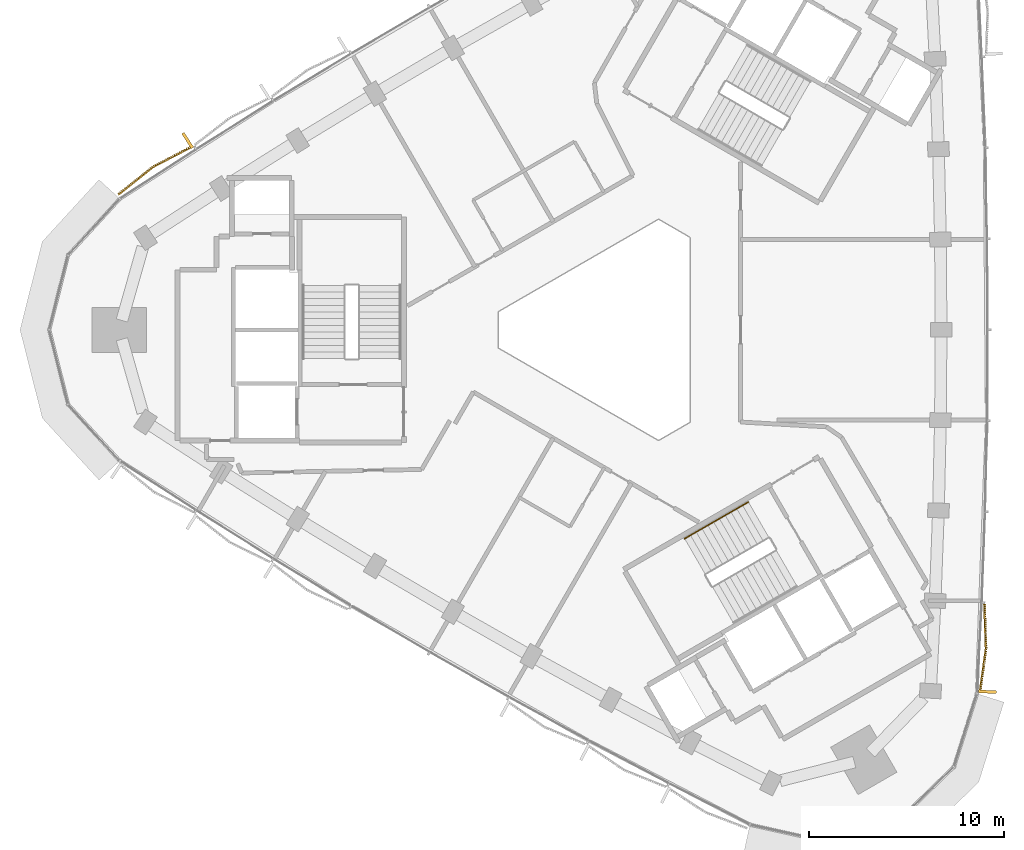
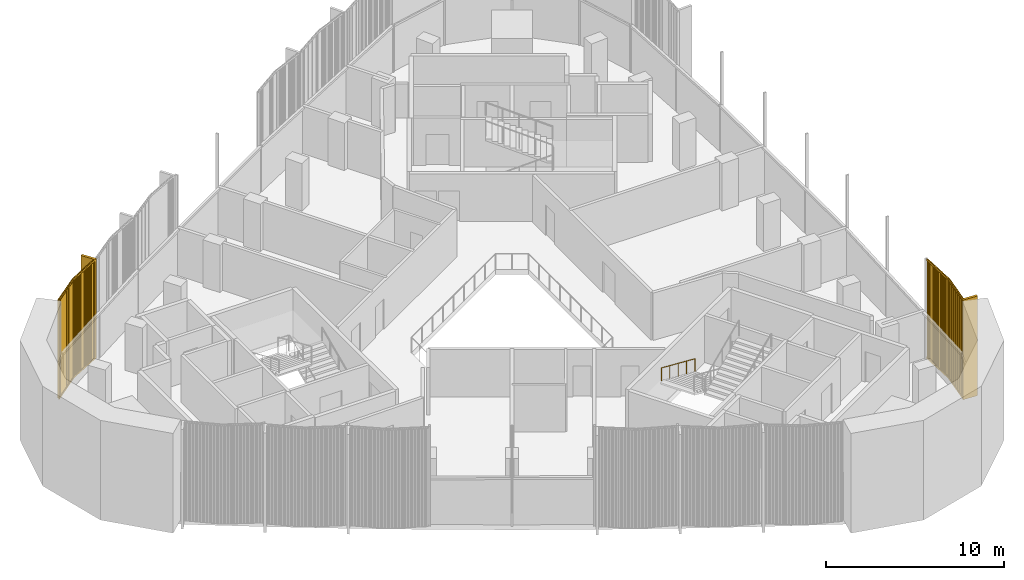
# One storey, part 14 of 16: 2 coverings, 1 railing.
"""IFC4 building model written with IfcOpenShell, lengths in metres."""

from ifc_helpers import new_model, si_unit, direction, frame, frame_2d, origin, origin_2d, place, context, subcontext, project, spatial, rectangle, circle, extrude, source, transform, mapped, material, type_object, element, save


model = new_model("IFC4")

# Units and contexts
model_context = context("Model", 3, precision=1e-05, world=origin(), true_north=direction((0.0, 1.0)))
body_context = subcontext(model_context, "Body", "Model", "MODEL_VIEW")
ifc_project = project(units=[si_unit("LENGTHUNIT", "METRE"), si_unit("AREAUNIT", "SQUARE_METRE"), si_unit("VOLUMEUNIT", "CUBIC_METRE"), si_unit("PLANEANGLEUNIT", "RADIAN"), si_unit("MASSUNIT", "GRAM", prefix="KILO")], contexts=[model_context])

# Site, building, storey
site_placement = place(None, origin())
site = spatial("IfcSite", under=ifc_project, at=site_placement, CompositionType="ELEMENT")
building_placement = place(site_placement, origin())
building = spatial("IfcBuilding", under=site, at=building_placement, Name="Tamra Quay Hotel Tower", CompositionType="ELEMENT")
storey_placement = place(building_placement, frame((0.0, 0.0, 243.0)))
storey = spatial("IfcBuildingStorey", under=building, at=storey_placement, Name="L61", CompositionType="ELEMENT", Elevation=243.0)

# Railing
ifc_material_1 = material(Name="Stair handrail 900")
railing_type = type_object("IfcRailingType", Name="Stair handrail 900", PredefinedType="HANDRAIL", material=ifc_material_1)
railing_placement = place(storey_placement, frame((6.7978515625, -8.814208984375, 0.14990234375)))
element("IfcRailing", 1, at=railing_placement, inside=storey, type_object=railing_type, Name="HR", PredefinedType="HANDRAIL", context=body_context, shape_type="SweptSolid", body=[
    extrude(circle(Radius=0.02392578125, at=origin_2d()), frame((0.0, 0.0, 0.8759765625), z_axis=(-0.793081112945, -0.457875966286, 0.40171127416), x_axis=(0.499992114976, -0.866029956157, 0.0)), (0.0, 0.0, 1.0), 4.10791015625),
    extrude(circle(Radius=0.02099609375, at=origin_2d()), origin(), (0.0, 0.0, 1.0), 0.851806640625),
    extrude(circle(Radius=0.02099609375, at=origin_2d()), frame((-0.814453125, -0.47021484375, 0.41259765625)), (0.0, 0.0, 1.0), 0.851806640625),
    extrude(circle(Radius=0.02099609375, at=origin_2d()), frame((-1.62890625, -0.9404296875, 0.8251953125)), (0.0, 0.0, 1.0), 0.851806640625),
    extrude(circle(Radius=0.02099609375, at=origin_2d()), frame((-2.443359375, -1.41064453125, 1.237548828125)), (0.0, 0.0, 1.0), 0.851806640625),
    extrude(circle(Radius=0.02099609375, at=origin_2d()), frame((-3.2578125, -1.880859375, 1.650146484375)), (0.0, 0.0, 1.0), 0.851806640625),
])

# Coverings
ifc_material_2 = material(Name="Terracotta baguette extruded", Category="masonry")
covering_type_1 = type_object("IfcCoveringType", Name="BAGUETTE SCREEN E-V H6850", PredefinedType="USERDEFINED", material=ifc_material_2)
shared_shape_1 = source(origin(), body_context, "Body", "SweptSolid", [
    extrude(rectangle(XDim=2.291259765625, YDim=0.06005859375, at=frame_2d((1.1455078125, 0.030029296875))), frame((-2.287841796875, -0.057861328125, -0.1201171875), z_axis=(0.0, 0.0, 1.0), x_axis=(0.996194698092, -0.087155742748, 0.0)), (0.0, 0.0, 1.0), 0.1201171875),
    extrude(rectangle(XDim=2.291259765625, YDim=0.06005859375, at=frame_2d((1.1455078125, 0.030029296875))), frame((-2.287841796875, -0.057861328125, -6.85009765625), z_axis=(0.0, 0.0, 1.0), x_axis=(0.996194698092, -0.087155742748, 0.0)), (0.0, 0.0, 1.0), 0.1201171875),
    extrude(rectangle(XDim=0.070068359375, YDim=0.10009765625, at=frame_2d((0.03515625, 0.050048828125))), frame((-2.267822265625, -0.13232421875, -6.7900390625)), (0.0, 0.0, 1.0), 6.72998046875),
    extrude(rectangle(XDim=0.070068359375, YDim=0.10009765625, at=frame_2d((0.03515625, 0.050048828125))), frame((-2.168701171875, -0.14111328125, -6.7900390625)), (0.0, 0.0, 1.0), 6.72998046875),
    extrude(rectangle(XDim=0.070068359375, YDim=0.10009765625, at=frame_2d((0.03515625, 0.050048828125))), frame((-2.0693359375, -0.149658203125, -6.7900390625)), (0.0, 0.0, 1.0), 6.72998046875),
    extrude(rectangle(XDim=0.070068359375, YDim=0.10009765625, at=frame_2d((0.03515625, 0.050048828125))), frame((-1.97021484375, -0.158447265625, -6.7900390625)), (0.0, 0.0, 1.0), 6.72998046875),
    extrude(rectangle(XDim=0.070068359375, YDim=0.10009765625, at=frame_2d((0.03515625, 0.050048828125))), frame((-1.870849609375, -0.1669921875, -6.7900390625)), (0.0, 0.0, 1.0), 6.72998046875),
    extrude(rectangle(XDim=0.070068359375, YDim=0.10009765625, at=frame_2d((0.03515625, 0.050048828125))), frame((-1.771728515625, -0.17578125, -6.7900390625)), (0.0, 0.0, 1.0), 6.72998046875),
    extrude(rectangle(XDim=0.070068359375, YDim=0.10009765625, at=frame_2d((0.03515625, 0.050048828125))), frame((-1.67236328125, -0.184326171875, -6.7900390625)), (0.0, 0.0, 1.0), 6.72998046875),
    extrude(rectangle(XDim=0.070068359375, YDim=0.10009765625, at=frame_2d((0.03515625, 0.050048828125))), frame((-1.5732421875, -0.193115234375, -6.7900390625)), (0.0, 0.0, 1.0), 6.72998046875),
    extrude(rectangle(XDim=0.070068359375, YDim=0.10009765625, at=frame_2d((0.03515625, 0.050048828125))), frame((-1.473876953125, -0.201904296875, -6.7900390625)), (0.0, 0.0, 1.0), 6.72998046875),
    extrude(rectangle(XDim=0.070068359375, YDim=0.10009765625, at=frame_2d((0.03515625, 0.050048828125))), frame((-1.374755859375, -0.21044921875, -6.7900390625)), (0.0, 0.0, 1.0), 6.72998046875),
    extrude(rectangle(XDim=0.070068359375, YDim=0.10009765625, at=frame_2d((0.03515625, 0.050048828125))), frame((-1.275390625, -0.21923828125, -6.7900390625)), (0.0, 0.0, 1.0), 6.72998046875),
    extrude(rectangle(XDim=0.070068359375, YDim=0.10009765625, at=frame_2d((0.03515625, 0.050048828125))), frame((-1.17626953125, -0.227783203125, -6.7900390625)), (0.0, 0.0, 1.0), 6.72998046875),
    extrude(rectangle(XDim=0.070068359375, YDim=0.10009765625, at=frame_2d((0.03515625, 0.050048828125))), frame((-1.076904296875, -0.236572265625, -6.7900390625)), (0.0, 0.0, 1.0), 6.72998046875),
    extrude(rectangle(XDim=0.070068359375, YDim=0.10009765625, at=frame_2d((0.03515625, 0.050048828125))), frame((-0.977783203125, -0.2451171875, -6.7900390625)), (0.0, 0.0, 1.0), 6.72998046875),
    extrude(rectangle(XDim=0.070068359375, YDim=0.10009765625, at=frame_2d((0.03515625, 0.050048828125))), frame((-0.87841796875, -0.25390625, -6.7900390625)), (0.0, 0.0, 1.0), 6.72998046875),
    extrude(rectangle(XDim=0.070068359375, YDim=0.10009765625, at=frame_2d((0.03515625, 0.050048828125))), frame((-0.779296875, -0.2626953125, -6.7900390625)), (0.0, 0.0, 1.0), 6.72998046875),
    extrude(rectangle(XDim=0.070068359375, YDim=0.10009765625, at=frame_2d((0.03515625, 0.050048828125))), frame((-0.679931640625, -0.271240234375, -6.7900390625)), (0.0, 0.0, 1.0), 6.72998046875),
    extrude(rectangle(XDim=0.070068359375, YDim=0.10009765625, at=frame_2d((0.03515625, 0.050048828125))), frame((-0.580810546875, -0.280029296875, -6.7900390625)), (0.0, 0.0, 1.0), 6.72998046875),
    extrude(rectangle(XDim=0.070068359375, YDim=0.10009765625, at=frame_2d((0.03515625, 0.050048828125))), frame((-0.481689453125, -0.28857421875, -6.7900390625)), (0.0, 0.0, 1.0), 6.72998046875),
    extrude(rectangle(XDim=0.070068359375, YDim=0.10009765625, at=frame_2d((0.03515625, 0.050048828125))), frame((-0.38232421875, -0.29736328125, -6.7900390625)), (0.0, 0.0, 1.0), 6.72998046875),
    extrude(rectangle(XDim=0.070068359375, YDim=0.10009765625, at=frame_2d((0.03515625, 0.050048828125))), frame((-0.283203125, -0.305908203125, -6.7900390625)), (0.0, 0.0, 1.0), 6.72998046875),
    extrude(rectangle(XDim=0.070068359375, YDim=0.10009765625, at=frame_2d((0.03515625, 0.050048828125))), frame((-0.183837890625, -0.314697265625, -6.7900390625)), (0.0, 0.0, 1.0), 6.72998046875),
    extrude(rectangle(XDim=0.070068359375, YDim=0.10009765625, at=frame_2d((0.03515625, 0.050048828125))), frame((-0.084716796875, -0.3232421875, -6.7900390625)), (0.0, 0.0, 1.0), 6.72998046875),
    extrude(rectangle(XDim=2.291259765625, YDim=0.06005859375, at=frame_2d((1.1455078125, 0.030029296875))), frame((0.005126953125, -0.257568359375, -0.1201171875), z_axis=(0.0, 0.0, 1.0), x_axis=(0.996194698092, 0.087155742748, 0.0)), (0.0, 0.0, 1.0), 0.1201171875),
    extrude(rectangle(XDim=2.291259765625, YDim=0.06005859375, at=frame_2d((1.1455078125, 0.030029296875))), frame((0.005126953125, -0.257568359375, -6.85009765625), z_axis=(0.0, 0.0, 1.0), x_axis=(0.996194698092, 0.087155742748, 0.0)), (0.0, 0.0, 1.0), 0.1201171875),
    extrude(rectangle(XDim=0.070068359375, YDim=0.10009765625, at=frame_2d((0.03515625, 0.050048828125))), frame((0.0146484375, -0.3232421875, -6.7900390625)), (0.0, 0.0, 1.0), 6.72998046875),
    extrude(rectangle(XDim=0.070068359375, YDim=0.10009765625, at=frame_2d((0.03515625, 0.050048828125))), frame((0.11376953125, -0.314697265625, -6.7900390625)), (0.0, 0.0, 1.0), 6.72998046875),
    extrude(rectangle(XDim=0.070068359375, YDim=0.10009765625, at=frame_2d((0.03515625, 0.050048828125))), frame((0.213134765625, -0.305908203125, -6.7900390625)), (0.0, 0.0, 1.0), 6.72998046875),
    extrude(rectangle(XDim=0.070068359375, YDim=0.10009765625, at=frame_2d((0.03515625, 0.050048828125))), frame((0.312255859375, -0.29736328125, -6.7900390625)), (0.0, 0.0, 1.0), 6.72998046875),
    extrude(rectangle(XDim=0.070068359375, YDim=0.10009765625, at=frame_2d((0.03515625, 0.050048828125))), frame((0.41162109375, -0.28857421875, -6.7900390625)), (0.0, 0.0, 1.0), 6.72998046875),
    extrude(rectangle(XDim=0.070068359375, YDim=0.10009765625, at=frame_2d((0.03515625, 0.050048828125))), frame((0.5107421875, -0.280029296875, -6.7900390625)), (0.0, 0.0, 1.0), 6.72998046875),
    extrude(rectangle(XDim=0.070068359375, YDim=0.10009765625, at=frame_2d((0.03515625, 0.050048828125))), frame((0.610107421875, -0.271240234375, -6.7900390625)), (0.0, 0.0, 1.0), 6.72998046875),
    extrude(rectangle(XDim=0.070068359375, YDim=0.10009765625, at=frame_2d((0.03515625, 0.050048828125))), frame((0.709228515625, -0.2626953125, -6.7900390625)), (0.0, 0.0, 1.0), 6.72998046875),
    extrude(rectangle(XDim=0.070068359375, YDim=0.10009765625, at=frame_2d((0.03515625, 0.050048828125))), frame((0.80859375, -0.25390625, -6.7900390625)), (0.0, 0.0, 1.0), 6.72998046875),
    extrude(rectangle(XDim=0.070068359375, YDim=0.10009765625, at=frame_2d((0.03515625, 0.050048828125))), frame((0.90771484375, -0.2451171875, -6.7900390625)), (0.0, 0.0, 1.0), 6.72998046875),
    extrude(rectangle(XDim=0.070068359375, YDim=0.10009765625, at=frame_2d((0.03515625, 0.050048828125))), frame((1.007080078125, -0.236572265625, -6.7900390625)), (0.0, 0.0, 1.0), 6.72998046875),
    extrude(rectangle(XDim=0.070068359375, YDim=0.10009765625, at=frame_2d((0.03515625, 0.050048828125))), frame((1.106201171875, -0.227783203125, -6.7900390625)), (0.0, 0.0, 1.0), 6.72998046875),
    extrude(rectangle(XDim=0.070068359375, YDim=0.10009765625, at=frame_2d((0.03515625, 0.050048828125))), frame((1.20556640625, -0.21923828125, -6.7900390625)), (0.0, 0.0, 1.0), 6.72998046875),
    extrude(rectangle(XDim=0.070068359375, YDim=0.10009765625, at=frame_2d((0.03515625, 0.050048828125))), frame((1.3046875, -0.21044921875, -6.7900390625)), (0.0, 0.0, 1.0), 6.72998046875),
    extrude(rectangle(XDim=0.070068359375, YDim=0.10009765625, at=frame_2d((0.03515625, 0.050048828125))), frame((1.404052734375, -0.201904296875, -6.7900390625)), (0.0, 0.0, 1.0), 6.72998046875),
    extrude(rectangle(XDim=0.070068359375, YDim=0.10009765625, at=frame_2d((0.03515625, 0.050048828125))), frame((1.503173828125, -0.193115234375, -6.7900390625)), (0.0, 0.0, 1.0), 6.72998046875),
    extrude(rectangle(XDim=0.070068359375, YDim=0.10009765625, at=frame_2d((0.03515625, 0.050048828125))), frame((1.6025390625, -0.184326171875, -6.7900390625)), (0.0, 0.0, 1.0), 6.72998046875),
    extrude(rectangle(XDim=0.070068359375, YDim=0.10009765625, at=frame_2d((0.03515625, 0.050048828125))), frame((1.70166015625, -0.17578125, -6.7900390625)), (0.0, 0.0, 1.0), 6.72998046875),
    extrude(rectangle(XDim=0.070068359375, YDim=0.10009765625, at=frame_2d((0.03515625, 0.050048828125))), frame((1.801025390625, -0.1669921875, -6.7900390625)), (0.0, 0.0, 1.0), 6.72998046875),
    extrude(rectangle(XDim=0.070068359375, YDim=0.10009765625, at=frame_2d((0.03515625, 0.050048828125))), frame((1.900146484375, -0.158447265625, -6.7900390625)), (0.0, 0.0, 1.0), 6.72998046875),
    extrude(rectangle(XDim=0.070068359375, YDim=0.10009765625, at=frame_2d((0.03515625, 0.050048828125))), frame((1.99951171875, -0.149658203125, -6.7900390625)), (0.0, 0.0, 1.0), 6.72998046875),
    extrude(rectangle(XDim=0.070068359375, YDim=0.10009765625, at=frame_2d((0.03515625, 0.050048828125))), frame((2.0986328125, -0.14111328125, -6.7900390625)), (0.0, 0.0, 1.0), 6.72998046875),
    extrude(rectangle(XDim=0.070068359375, YDim=0.10009765625, at=frame_2d((0.03515625, 0.050048828125))), frame((2.197998046875, -0.13232421875, -6.7900390625)), (0.0, 0.0, 1.0), 6.72998046875),
    extrude(rectangle(XDim=0.14990234375, YDim=0.902099609375, at=frame_2d((0.074951171875, 0.451171875))), frame((-2.282470703125, -0.89990234375, -6.85009765625)), (0.0, 0.0, 1.0), 6.85009765625),
])
covering_1_placement = place(storey_placement, frame((18.7099609375, -16.3076171875, 6.85009765625), z_axis=(0.0, 0.0, 1.0), x_axis=(0.05140283052, 0.998678000666, 0.0)))
element("IfcCovering", 2, at=covering_1_placement, inside=storey, type_object=covering_type_1, Name="Baguette screen L61.E.f00", ObjectType="BAGUETTE SCREEN", PredefinedType="USERDEFINED", context=body_context, shape_type="MappedRepresentation", body=[
    mapped(shared_shape_1, transform((0.0, 0.0, 0.0), scale=1.0)),
])
covering_type_2 = type_object("IfcCoveringType", Name="BAGUETTE SCREEN NW-V H6850", PredefinedType="USERDEFINED", material=ifc_material_2)
shared_shape_2 = source(origin(), body_context, "Body", "SweptSolid", [
    extrude(rectangle(XDim=2.29296875, YDim=0.06005859375, at=frame_2d((1.146484375, 0.030029296875))), frame((-2.288330078125, -0.0576171875, -0.1201171875), z_axis=(0.0, 0.0, 1.0), x_axis=(0.995396198367, -0.09584575252, 0.0)), (0.0, 0.0, 1.0), 0.1201171875),
    extrude(rectangle(XDim=2.29296875, YDim=0.06005859375, at=frame_2d((1.146484375, 0.030029296875))), frame((-2.288330078125, -0.0576171875, -6.85009765625), z_axis=(0.0, 0.0, 1.0), x_axis=(0.995396198367, -0.09584575252, 0.0)), (0.0, 0.0, 1.0), 0.1201171875),
    extrude(rectangle(XDim=0.070068359375, YDim=0.10009765625, at=frame_2d((0.03515625, 0.050048828125))), frame((-2.267822265625, -0.1328125, -6.7900390625)), (0.0, 0.0, 1.0), 6.72998046875),
    extrude(rectangle(XDim=0.070068359375, YDim=0.10009765625, at=frame_2d((0.03515625, 0.050048828125))), frame((-2.168701171875, -0.142333984375, -6.7900390625)), (0.0, 0.0, 1.0), 6.72998046875),
    extrude(rectangle(XDim=0.070068359375, YDim=0.10009765625, at=frame_2d((0.03515625, 0.050048828125))), frame((-2.0693359375, -0.15185546875, -6.7900390625)), (0.0, 0.0, 1.0), 6.72998046875),
    extrude(rectangle(XDim=0.070068359375, YDim=0.10009765625, at=frame_2d((0.03515625, 0.050048828125))), frame((-1.97021484375, -0.161376953125, -6.7900390625)), (0.0, 0.0, 1.0), 6.72998046875),
    extrude(rectangle(XDim=0.070068359375, YDim=0.10009765625, at=frame_2d((0.03515625, 0.050048828125))), frame((-1.870849609375, -0.1708984375, -6.7900390625)), (0.0, 0.0, 1.0), 6.72998046875),
    extrude(rectangle(XDim=0.070068359375, YDim=0.10009765625, at=frame_2d((0.03515625, 0.050048828125))), frame((-1.771728515625, -0.1806640625, -6.7900390625)), (0.0, 0.0, 1.0), 6.72998046875),
    extrude(rectangle(XDim=0.070068359375, YDim=0.10009765625, at=frame_2d((0.03515625, 0.050048828125))), frame((-1.67236328125, -0.190185546875, -6.7900390625)), (0.0, 0.0, 1.0), 6.72998046875),
    extrude(rectangle(XDim=0.070068359375, YDim=0.10009765625, at=frame_2d((0.03515625, 0.050048828125))), frame((-1.5732421875, -0.19970703125, -6.7900390625)), (0.0, 0.0, 1.0), 6.72998046875),
    extrude(rectangle(XDim=0.070068359375, YDim=0.10009765625, at=frame_2d((0.03515625, 0.050048828125))), frame((-1.473876953125, -0.209228515625, -6.7900390625)), (0.0, 0.0, 1.0), 6.72998046875),
    extrude(rectangle(XDim=0.070068359375, YDim=0.10009765625, at=frame_2d((0.03515625, 0.050048828125))), frame((-1.374755859375, -0.21875, -6.7900390625)), (0.0, 0.0, 1.0), 6.72998046875),
    extrude(rectangle(XDim=0.070068359375, YDim=0.10009765625, at=frame_2d((0.03515625, 0.050048828125))), frame((-1.275390625, -0.228271484375, -6.7900390625)), (0.0, 0.0, 1.0), 6.72998046875),
    extrude(rectangle(XDim=0.070068359375, YDim=0.10009765625, at=frame_2d((0.03515625, 0.050048828125))), frame((-1.17626953125, -0.23779296875, -6.7900390625)), (0.0, 0.0, 1.0), 6.72998046875),
    extrude(rectangle(XDim=0.070068359375, YDim=0.10009765625, at=frame_2d((0.03515625, 0.050048828125))), frame((-1.076904296875, -0.24755859375, -6.7900390625)), (0.0, 0.0, 1.0), 6.72998046875),
    extrude(rectangle(XDim=0.070068359375, YDim=0.10009765625, at=frame_2d((0.03515625, 0.050048828125))), frame((-0.977783203125, -0.257080078125, -6.7900390625)), (0.0, 0.0, 1.0), 6.72998046875),
    extrude(rectangle(XDim=0.070068359375, YDim=0.10009765625, at=frame_2d((0.03515625, 0.050048828125))), frame((-0.87841796875, -0.2666015625, -6.7900390625)), (0.0, 0.0, 1.0), 6.72998046875),
    extrude(rectangle(XDim=0.070068359375, YDim=0.10009765625, at=frame_2d((0.03515625, 0.050048828125))), frame((-0.779296875, -0.276123046875, -6.7900390625)), (0.0, 0.0, 1.0), 6.72998046875),
    extrude(rectangle(XDim=0.070068359375, YDim=0.10009765625, at=frame_2d((0.03515625, 0.050048828125))), frame((-0.679931640625, -0.28564453125, -6.7900390625)), (0.0, 0.0, 1.0), 6.72998046875),
    extrude(rectangle(XDim=0.070068359375, YDim=0.10009765625, at=frame_2d((0.03515625, 0.050048828125))), frame((-0.580810546875, -0.295166015625, -6.7900390625)), (0.0, 0.0, 1.0), 6.72998046875),
    extrude(rectangle(XDim=0.070068359375, YDim=0.10009765625, at=frame_2d((0.03515625, 0.050048828125))), frame((-0.481689453125, -0.3046875, -6.7900390625)), (0.0, 0.0, 1.0), 6.72998046875),
    extrude(rectangle(XDim=0.070068359375, YDim=0.10009765625, at=frame_2d((0.03515625, 0.050048828125))), frame((-0.38232421875, -0.314453125, -6.7900390625)), (0.0, 0.0, 1.0), 6.72998046875),
    extrude(rectangle(XDim=0.070068359375, YDim=0.10009765625, at=frame_2d((0.03515625, 0.050048828125))), frame((-0.283203125, -0.323974609375, -6.7900390625)), (0.0, 0.0, 1.0), 6.72998046875),
    extrude(rectangle(XDim=0.070068359375, YDim=0.10009765625, at=frame_2d((0.03515625, 0.050048828125))), frame((-0.183837890625, -0.33349609375, -6.7900390625)), (0.0, 0.0, 1.0), 6.72998046875),
    extrude(rectangle(XDim=0.070068359375, YDim=0.10009765625, at=frame_2d((0.03515625, 0.050048828125))), frame((-0.084716796875, -0.343017578125, -6.7900390625)), (0.0, 0.0, 1.0), 6.72998046875),
    extrude(rectangle(XDim=2.29296875, YDim=0.06005859375, at=frame_2d((1.146484375, 0.030029296875))), frame((0.005859375, -0.277587890625, -0.1201171875), z_axis=(0.0, 0.0, 1.0), x_axis=(0.995396198367, 0.09584575252, 0.0)), (0.0, 0.0, 1.0), 0.1201171875),
    extrude(rectangle(XDim=2.29296875, YDim=0.06005859375, at=frame_2d((1.146484375, 0.030029296875))), frame((0.005859375, -0.277587890625, -6.85009765625), z_axis=(0.0, 0.0, 1.0), x_axis=(0.995396198367, 0.09584575252, 0.0)), (0.0, 0.0, 1.0), 0.1201171875),
    extrude(rectangle(XDim=0.070068359375, YDim=0.10009765625, at=frame_2d((0.03515625, 0.050048828125))), frame((0.0146484375, -0.343017578125, -6.7900390625)), (0.0, 0.0, 1.0), 6.72998046875),
    extrude(rectangle(XDim=0.070068359375, YDim=0.10009765625, at=frame_2d((0.03515625, 0.050048828125))), frame((0.11376953125, -0.33349609375, -6.7900390625)), (0.0, 0.0, 1.0), 6.72998046875),
    extrude(rectangle(XDim=0.070068359375, YDim=0.10009765625, at=frame_2d((0.03515625, 0.050048828125))), frame((0.213134765625, -0.323974609375, -6.7900390625)), (0.0, 0.0, 1.0), 6.72998046875),
    extrude(rectangle(XDim=0.070068359375, YDim=0.10009765625, at=frame_2d((0.03515625, 0.050048828125))), frame((0.312255859375, -0.314453125, -6.7900390625)), (0.0, 0.0, 1.0), 6.72998046875),
    extrude(rectangle(XDim=0.070068359375, YDim=0.10009765625, at=frame_2d((0.03515625, 0.050048828125))), frame((0.41162109375, -0.3046875, -6.7900390625)), (0.0, 0.0, 1.0), 6.72998046875),
    extrude(rectangle(XDim=0.070068359375, YDim=0.10009765625, at=frame_2d((0.03515625, 0.050048828125))), frame((0.5107421875, -0.295166015625, -6.7900390625)), (0.0, 0.0, 1.0), 6.72998046875),
    extrude(rectangle(XDim=0.070068359375, YDim=0.10009765625, at=frame_2d((0.03515625, 0.050048828125))), frame((0.610107421875, -0.28564453125, -6.7900390625)), (0.0, 0.0, 1.0), 6.72998046875),
    extrude(rectangle(XDim=0.070068359375, YDim=0.10009765625, at=frame_2d((0.03515625, 0.050048828125))), frame((0.709228515625, -0.276123046875, -6.7900390625)), (0.0, 0.0, 1.0), 6.72998046875),
    extrude(rectangle(XDim=0.070068359375, YDim=0.10009765625, at=frame_2d((0.03515625, 0.050048828125))), frame((0.80859375, -0.2666015625, -6.7900390625)), (0.0, 0.0, 1.0), 6.72998046875),
    extrude(rectangle(XDim=0.070068359375, YDim=0.10009765625, at=frame_2d((0.03515625, 0.050048828125))), frame((0.90771484375, -0.257080078125, -6.7900390625)), (0.0, 0.0, 1.0), 6.72998046875),
    extrude(rectangle(XDim=0.070068359375, YDim=0.10009765625, at=frame_2d((0.03515625, 0.050048828125))), frame((1.007080078125, -0.24755859375, -6.7900390625)), (0.0, 0.0, 1.0), 6.72998046875),
    extrude(rectangle(XDim=0.070068359375, YDim=0.10009765625, at=frame_2d((0.03515625, 0.050048828125))), frame((1.106201171875, -0.23779296875, -6.7900390625)), (0.0, 0.0, 1.0), 6.72998046875),
    extrude(rectangle(XDim=0.070068359375, YDim=0.10009765625, at=frame_2d((0.03515625, 0.050048828125))), frame((1.20556640625, -0.228271484375, -6.7900390625)), (0.0, 0.0, 1.0), 6.72998046875),
    extrude(rectangle(XDim=0.070068359375, YDim=0.10009765625, at=frame_2d((0.03515625, 0.050048828125))), frame((1.3046875, -0.21875, -6.7900390625)), (0.0, 0.0, 1.0), 6.72998046875),
    extrude(rectangle(XDim=0.070068359375, YDim=0.10009765625, at=frame_2d((0.03515625, 0.050048828125))), frame((1.404052734375, -0.209228515625, -6.7900390625)), (0.0, 0.0, 1.0), 6.72998046875),
    extrude(rectangle(XDim=0.070068359375, YDim=0.10009765625, at=frame_2d((0.03515625, 0.050048828125))), frame((1.503173828125, -0.19970703125, -6.7900390625)), (0.0, 0.0, 1.0), 6.72998046875),
    extrude(rectangle(XDim=0.070068359375, YDim=0.10009765625, at=frame_2d((0.03515625, 0.050048828125))), frame((1.6025390625, -0.190185546875, -6.7900390625)), (0.0, 0.0, 1.0), 6.72998046875),
    extrude(rectangle(XDim=0.070068359375, YDim=0.10009765625, at=frame_2d((0.03515625, 0.050048828125))), frame((1.70166015625, -0.1806640625, -6.7900390625)), (0.0, 0.0, 1.0), 6.72998046875),
    extrude(rectangle(XDim=0.070068359375, YDim=0.10009765625, at=frame_2d((0.03515625, 0.050048828125))), frame((1.801025390625, -0.1708984375, -6.7900390625)), (0.0, 0.0, 1.0), 6.72998046875),
    extrude(rectangle(XDim=0.070068359375, YDim=0.10009765625, at=frame_2d((0.03515625, 0.050048828125))), frame((1.900146484375, -0.161376953125, -6.7900390625)), (0.0, 0.0, 1.0), 6.72998046875),
    extrude(rectangle(XDim=0.070068359375, YDim=0.10009765625, at=frame_2d((0.03515625, 0.050048828125))), frame((1.99951171875, -0.15185546875, -6.7900390625)), (0.0, 0.0, 1.0), 6.72998046875),
    extrude(rectangle(XDim=0.070068359375, YDim=0.10009765625, at=frame_2d((0.03515625, 0.050048828125))), frame((2.0986328125, -0.142333984375, -6.7900390625)), (0.0, 0.0, 1.0), 6.72998046875),
    extrude(rectangle(XDim=0.070068359375, YDim=0.10009765625, at=frame_2d((0.03515625, 0.050048828125))), frame((2.197998046875, -0.1328125, -6.7900390625)), (0.0, 0.0, 1.0), 6.72998046875),
    extrude(rectangle(XDim=0.14990234375, YDim=0.902099609375, at=frame_2d((0.074951171875, 0.451171875))), frame((-2.282470703125, -0.89990234375, -6.85009765625)), (0.0, 0.0, 1.0), 6.85009765625),
])
covering_2_placement = place(storey_placement, frame((-23.524169921875, 8.120849609375, 6.85009765625), z_axis=(0.0, 0.0, 1.0), x_axis=(-0.839179103518, -0.54385515739, 0.0)))
element("IfcCovering", 3, at=covering_2_placement, inside=storey, type_object=covering_type_2, Name="Baguette screen L61.NW.f07", ObjectType="BAGUETTE SCREEN", PredefinedType="USERDEFINED", context=body_context, shape_type="MappedRepresentation", body=[
    mapped(shared_shape_2, transform((0.0, 0.0, 0.0), scale=1.0)),
])

save(model, "model.ifc")
